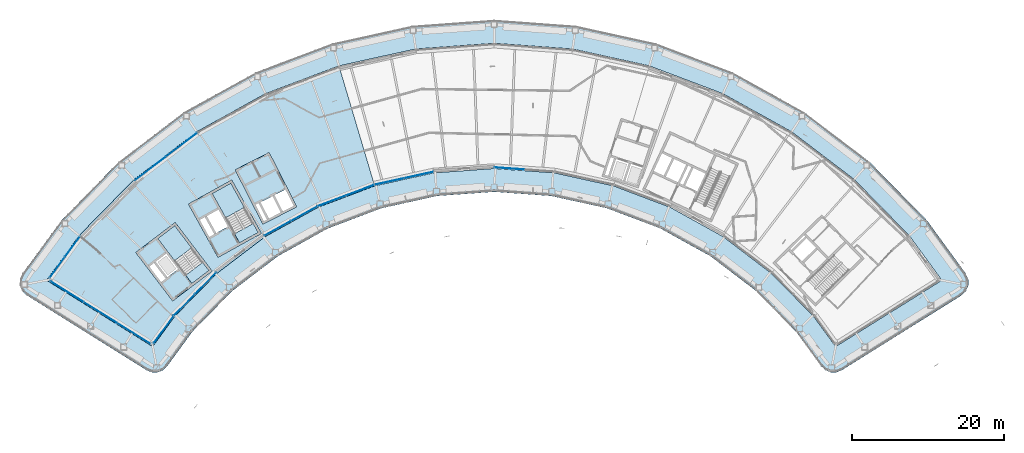
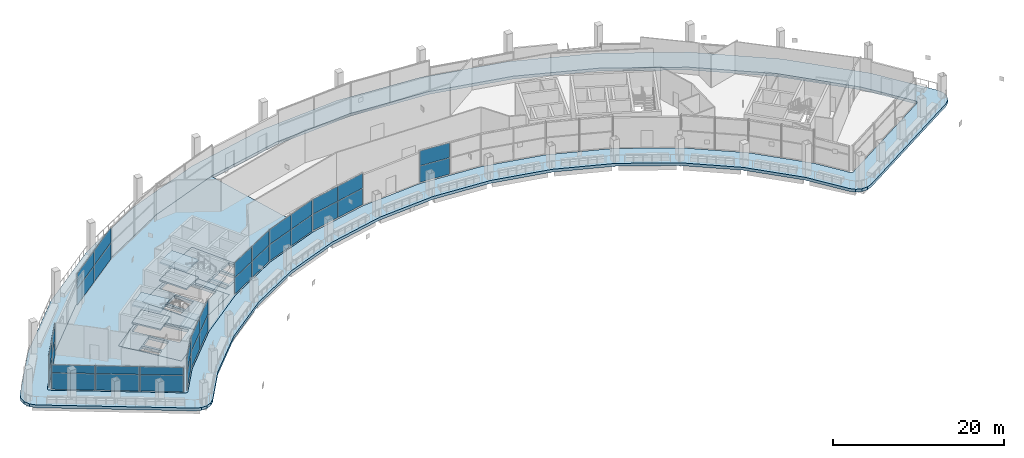
# One storey, part 13 of 29: 34 plates, 11 slabs, 11 elements without a shape of their own.
"""IFC4 building model written with IfcOpenShell, lengths in metres."""

from ifc_helpers import new_model, si_unit, direction, frame, origin, origin_2d, place, context, subcontext, project, spatial, polyline, rectangle, outline, extrude, material, layer, layer_set, type_object, element, aggregate, save


model = new_model("IFC4")

# Units and contexts
model_context = context("Model", 3, precision=1e-05, world=origin(), true_north=direction((0.0, 1.0)))
body_context = subcontext(model_context, "Body", "Model", "MODEL_VIEW")
ifc_project = project(units=[si_unit("LENGTHUNIT", "METRE"), si_unit("AREAUNIT", "SQUARE_METRE"), si_unit("VOLUMEUNIT", "CUBIC_METRE"), si_unit("PLANEANGLEUNIT", "RADIAN"), si_unit("MASSUNIT", "GRAM", prefix="KILO")], contexts=[model_context])

# Site, building, storey
site_placement = place(None, origin())
site = spatial("IfcSite", under=ifc_project, at=site_placement, CompositionType="ELEMENT")
building_placement = place(site_placement, origin())
building = spatial("IfcBuilding", under=site, at=building_placement, Name="Tuul Gate Civic Tower", CompositionType="ELEMENT")
storey_placement = place(building_placement, frame((0.0, 0.0, 238.89990234375)))
storey = spatial("IfcBuildingStorey", under=building, at=storey_placement, Name="Sky garden level 2", CompositionType="ELEMENT", Elevation=238.89990234375)

# Curtain wall, plates
ifc_material_1 = material(Name="Aluminium", Category="aluminium")
ifc_layer_1 = layer(ifc_material_1, 0.199951171875)
ifc_layer_set_1 = layer_set([ifc_layer_1], Name="Aluminium")
curtain_wall_type_1 = type_object("IfcCurtainWallType", Name="Curtain wall CW3", PredefinedType="NOTDEFINED", material=ifc_layer_set_1)
curtain_wall_1_placement = place(storey_placement, origin())
curtain_wall_1 = element("IfcCurtainWall", 1, at=curtain_wall_1_placement, inside=storey, type_object=curtain_wall_type_1, Name="Curtain wall CW3", PredefinedType="NOTDEFINED")
ifc_material_2 = material(Name="Insulated glass", Category="glass")
ifc_layer_2 = layer(ifc_material_2, 0.031982421875)
ifc_layer_set_2 = layer_set([ifc_layer_2], Name="Insulated glass")
plate_type_1 = type_object("IfcPlateType", Name="CW3 panel", PredefinedType="CURTAIN_PANEL", material=ifc_layer_set_2)
plate_1_placement = place(storey_placement, frame((-35.097900390625, 2.791015625, 0.06005859375), z_axis=(0.0, 0.0, 1.0), x_axis=(-0.795645602675, -0.60576239149, 0.0)))
plate_1 = element("IfcPlate", 2, at=plate_1_placement, type_object=plate_type_1, Name="Panel", PredefinedType="CURTAIN_PANEL", context=body_context, shape_type="SweptSolid", body=[
    extrude(rectangle(XDim=5.060546875, YDim=0.031982421875, at=origin_2d()), origin(), (0.0, 0.0, 1.0), 2.31005859375),
])
plate_2_placement = place(storey_placement, frame((-35.097900390625, 2.791015625, 2.43017578125), z_axis=(0.0, 0.0, 1.0), x_axis=(-0.795645602675, -0.60576239149, 0.0)))
plate_2 = element("IfcPlate", 3, at=plate_2_placement, type_object=plate_type_1, Name="Panel", PredefinedType="CURTAIN_PANEL", context=body_context, shape_type="SweptSolid", body=[
    extrude(rectangle(XDim=5.060546875, YDim=0.031982421875, at=origin_2d()), origin(), (0.0, 0.0, 1.0), 2.110107421875),
])
plate_3_placement = place(storey_placement, frame((-39.172119140625, -0.31103515625, 0.06005859375), z_axis=(0.0, 0.0, 1.0), x_axis=(-0.795645602675, -0.60576239149, 0.0)))
plate_3 = element("IfcPlate", 4, at=plate_3_placement, type_object=plate_type_1, Name="Panel", PredefinedType="CURTAIN_PANEL", context=body_context, shape_type="SweptSolid", body=[
    extrude(rectangle(XDim=5.060546875, YDim=0.031982421875, at=origin_2d()), origin(), (0.0, 0.0, 1.0), 2.31005859375),
])
plate_4_placement = place(storey_placement, frame((-39.172119140625, -0.31103515625, 2.43017578125), z_axis=(0.0, 0.0, 1.0), x_axis=(-0.795645602675, -0.60576239149, 0.0)))
plate_4 = element("IfcPlate", 5, at=plate_4_placement, type_object=plate_type_1, Name="Panel", PredefinedType="CURTAIN_PANEL", context=body_context, shape_type="SweptSolid", body=[
    extrude(rectangle(XDim=5.060546875, YDim=0.031982421875, at=origin_2d()), origin(), (0.0, 0.0, 1.0), 2.110107421875),
])
aggregate(curtain_wall_1, [plate_1, plate_2, plate_3, plate_4])

curtain_wall_2_placement = place(storey_placement, origin())
curtain_wall_2 = element("IfcCurtainWall", 6, at=curtain_wall_2_placement, inside=storey, type_object=curtain_wall_type_1, Name="Curtain wall CW3", PredefinedType="NOTDEFINED")
plate_5_placement = place(storey_placement, frame((-49.450927734375, -10.61474609375, 0.06005859375), z_axis=(0.0, 0.0, 1.0), x_axis=(-0.589716540915, -0.807610302913, 0.0)))
plate_5 = element("IfcPlate", 7, at=plate_5_placement, type_object=plate_type_1, Name="Panel", PredefinedType="CURTAIN_PANEL", context=body_context, shape_type="SweptSolid", body=[
    extrude(rectangle(XDim=3.294677734375, YDim=0.031982421875, at=origin_2d()), origin(), (0.0, 0.0, 1.0), 2.31005859375),
])
plate_6_placement = place(storey_placement, frame((-49.450927734375, -10.61474609375, 2.43017578125), z_axis=(0.0, 0.0, 1.0), x_axis=(-0.589716540915, -0.807610302913, 0.0)))
plate_6 = element("IfcPlate", 8, at=plate_6_placement, type_object=plate_type_1, Name="Panel", PredefinedType="CURTAIN_PANEL", context=body_context, shape_type="SweptSolid", body=[
    extrude(rectangle(XDim=3.294677734375, YDim=0.031982421875, at=origin_2d()), origin(), (0.0, 0.0, 1.0), 2.110107421875),
])
plate_7_placement = place(storey_placement, frame((-51.42919921875, -13.32421875, 0.06005859375), z_axis=(0.0, 0.0, 1.0), x_axis=(-0.589716540915, -0.807610302913, 0.0)))
plate_7 = element("IfcPlate", 9, at=plate_7_placement, type_object=plate_type_1, Name="Panel", PredefinedType="CURTAIN_PANEL", context=body_context, shape_type="SweptSolid", body=[
    extrude(rectangle(XDim=3.294677734375, YDim=0.031982421875, at=origin_2d()), origin(), (0.0, 0.0, 1.0), 2.31005859375),
])
plate_8_placement = place(storey_placement, frame((-51.42919921875, -13.32421875, 2.43017578125), z_axis=(0.0, 0.0, 1.0), x_axis=(-0.589716540915, -0.807610302913, 0.0)))
plate_8 = element("IfcPlate", 10, at=plate_8_placement, type_object=plate_type_1, Name="Panel", PredefinedType="CURTAIN_PANEL", context=body_context, shape_type="SweptSolid", body=[
    extrude(rectangle(XDim=3.294677734375, YDim=0.031982421875, at=origin_2d()), origin(), (0.0, 0.0, 1.0), 2.110107421875),
])
aggregate(curtain_wall_2, [plate_5, plate_6, plate_7, plate_8])

curtain_wall_3_placement = place(storey_placement, origin())
curtain_wall_3 = element("IfcCurtainWall", 11, at=curtain_wall_3_placement, inside=storey, type_object=curtain_wall_type_1, Name="Curtain wall CW3", PredefinedType="NOTDEFINED")
plate_9_placement = place(storey_placement, frame((-37.451416015625, -21.482421875, 0.06005859375), z_axis=(0.0, 0.0, 1.0), x_axis=(0.589775986774, 0.807566892229, 0.0)))
plate_9 = element("IfcPlate", 12, at=plate_9_placement, type_object=plate_type_1, Name="Panel", PredefinedType="CURTAIN_PANEL", context=body_context, shape_type="SweptSolid", body=[
    extrude(rectangle(XDim=4.361328125, YDim=0.031982421875, at=origin_2d()), origin(), (0.0, 0.0, 1.0), 2.31005859375),
])
plate_10_placement = place(storey_placement, frame((-37.451416015625, -21.482421875, 2.43017578125), z_axis=(0.0, 0.0, 1.0), x_axis=(0.589775986774, 0.807566892229, 0.0)))
plate_10 = element("IfcPlate", 13, at=plate_10_placement, type_object=plate_type_1, Name="Panel", PredefinedType="CURTAIN_PANEL", context=body_context, shape_type="SweptSolid", body=[
    extrude(rectangle(XDim=4.361328125, YDim=0.031982421875, at=origin_2d()), origin(), (0.0, 0.0, 1.0), 2.110107421875),
])
aggregate(curtain_wall_3, [plate_9, plate_10])

curtain_wall_4_placement = place(storey_placement, origin())
curtain_wall_4 = element("IfcCurtainWall", 14, at=curtain_wall_4_placement, inside=storey, type_object=curtain_wall_type_1, Name="Curtain wall CW3", PredefinedType="NOTDEFINED")
plate_11_placement = place(storey_placement, frame((-34.72509765625, -18.23974609375, 0.06005859375), z_axis=(0.0, 0.0, 1.0), x_axis=(0.700043805627, 0.714099902117, 0.0)))
plate_11 = element("IfcPlate", 15, at=plate_11_placement, type_object=plate_type_1, Name="Panel", PredefinedType="CURTAIN_PANEL", context=body_context, shape_type="SweptSolid", body=[
    extrude(rectangle(XDim=3.89404296875, YDim=0.031982421875, at=origin_2d()), origin(), (0.0, 0.0, 1.0), 2.31005859375),
])
plate_12_placement = place(storey_placement, frame((-34.72509765625, -18.23974609375, 2.43017578125), z_axis=(0.0, 0.0, 1.0), x_axis=(0.700043805627, 0.714099902117, 0.0)))
plate_12 = element("IfcPlate", 16, at=plate_12_placement, type_object=plate_type_1, Name="Panel", PredefinedType="CURTAIN_PANEL", context=body_context, shape_type="SweptSolid", body=[
    extrude(rectangle(XDim=3.89404296875, YDim=0.031982421875, at=origin_2d()), origin(), (0.0, 0.0, 1.0), 2.110107421875),
])
plate_13_placement = place(storey_placement, frame((-31.95703125, -15.416259765625, 0.06005859375), z_axis=(0.0, 0.0, 1.0), x_axis=(0.700043805627, 0.714099902117, 0.0)))
plate_13 = element("IfcPlate", 17, at=plate_13_placement, type_object=plate_type_1, Name="Panel", PredefinedType="CURTAIN_PANEL", context=body_context, shape_type="SweptSolid", body=[
    extrude(rectangle(XDim=3.89404296875, YDim=0.031982421875, at=origin_2d()), origin(), (0.0, 0.0, 1.0), 2.31005859375),
])
plate_14_placement = place(storey_placement, frame((-31.95703125, -15.416259765625, 2.43017578125), z_axis=(0.0, 0.0, 1.0), x_axis=(0.700043805627, 0.714099902117, 0.0)))
plate_14 = element("IfcPlate", 18, at=plate_14_placement, type_object=plate_type_1, Name="Panel", PredefinedType="CURTAIN_PANEL", context=body_context, shape_type="SweptSolid", body=[
    extrude(rectangle(XDim=3.89404296875, YDim=0.031982421875, at=origin_2d()), origin(), (0.0, 0.0, 1.0), 2.110107421875),
])
aggregate(curtain_wall_4, [plate_11, plate_12, plate_13, plate_14])

curtain_wall_5_placement = place(storey_placement, origin())
curtain_wall_5 = element("IfcCurtainWall", 19, at=curtain_wall_5_placement, inside=storey, type_object=curtain_wall_type_1, Name="Curtain wall CW3", PredefinedType="NOTDEFINED")
plate_15_placement = place(storey_placement, frame((-22.45654296875, -8.182861328125, 0.06005859375), z_axis=(0.0, 0.0, 1.0), x_axis=(0.874618631094, 0.484811561479, 0.0)))
plate_15 = element("IfcPlate", 20, at=plate_15_placement, type_object=plate_type_1, Name="Panel", PredefinedType="CURTAIN_PANEL", context=body_context, shape_type="SweptSolid", body=[
    extrude(rectangle(XDim=3.89404296875, YDim=0.031982421875, at=origin_2d()), origin(), (0.0, 0.0, 1.0), 2.31005859375),
])
plate_16_placement = place(storey_placement, frame((-22.45654296875, -8.182861328125, 2.43017578125), z_axis=(0.0, 0.0, 1.0), x_axis=(0.874618631094, 0.484811561479, 0.0)))
plate_16 = element("IfcPlate", 21, at=plate_16_placement, type_object=plate_type_1, Name="Panel", PredefinedType="CURTAIN_PANEL", context=body_context, shape_type="SweptSolid", body=[
    extrude(rectangle(XDim=3.89404296875, YDim=0.031982421875, at=origin_2d()), origin(), (0.0, 0.0, 1.0), 2.110107421875),
])
plate_17_placement = place(storey_placement, frame((-18.998291015625, -6.26611328125, 0.06005859375), z_axis=(0.0, 0.0, 1.0), x_axis=(0.874618631094, 0.484811561479, 0.0)))
plate_17 = element("IfcPlate", 22, at=plate_17_placement, type_object=plate_type_1, Name="Panel", PredefinedType="CURTAIN_PANEL", context=body_context, shape_type="SweptSolid", body=[
    extrude(rectangle(XDim=3.89404296875, YDim=0.031982421875, at=origin_2d()), origin(), (0.0, 0.0, 1.0), 2.31005859375),
])
plate_18_placement = place(storey_placement, frame((-18.998291015625, -6.26611328125, 2.43017578125), z_axis=(0.0, 0.0, 1.0), x_axis=(0.874618631094, 0.484811561479, 0.0)))
plate_18 = element("IfcPlate", 23, at=plate_18_placement, type_object=plate_type_1, Name="Panel", PredefinedType="CURTAIN_PANEL", context=body_context, shape_type="SweptSolid", body=[
    extrude(rectangle(XDim=3.89404296875, YDim=0.031982421875, at=origin_2d()), origin(), (0.0, 0.0, 1.0), 2.110107421875),
])
aggregate(curtain_wall_5, [plate_15, plate_16, plate_17, plate_18])

curtain_wall_6_placement = place(storey_placement, origin())
curtain_wall_6 = element("IfcCurtainWall", 24, at=curtain_wall_6_placement, inside=storey, type_object=curtain_wall_type_1, Name="Curtain wall CW3", PredefinedType="NOTDEFINED")
plate_19_placement = place(storey_placement, frame((-15.365478515625, -4.5830078125, 0.06005859375), z_axis=(0.0, 0.0, 1.0), x_axis=(0.935345738127, 0.353734858569, 0.0)))
plate_19 = element("IfcPlate", 25, at=plate_19_placement, type_object=plate_type_1, Name="Panel", PredefinedType="CURTAIN_PANEL", context=body_context, shape_type="SweptSolid", body=[
    extrude(rectangle(XDim=3.89453125, YDim=0.031982421875, at=origin_2d()), origin(), (0.0, 0.0, 1.0), 2.31005859375),
])
plate_20_placement = place(storey_placement, frame((-15.365478515625, -4.5830078125, 2.43017578125), z_axis=(0.0, 0.0, 1.0), x_axis=(0.935345738127, 0.353734858569, 0.0)))
plate_20 = element("IfcPlate", 26, at=plate_20_placement, type_object=plate_type_1, Name="Panel", PredefinedType="CURTAIN_PANEL", context=body_context, shape_type="SweptSolid", body=[
    extrude(rectangle(XDim=3.89453125, YDim=0.031982421875, at=origin_2d()), origin(), (0.0, 0.0, 1.0), 2.110107421875),
])
plate_21_placement = place(storey_placement, frame((-11.66650390625, -3.18408203125, 0.06005859375), z_axis=(0.0, 0.0, 1.0), x_axis=(0.935345738127, 0.353734858569, 0.0)))
plate_21 = element("IfcPlate", 27, at=plate_21_placement, type_object=plate_type_1, Name="Panel", PredefinedType="CURTAIN_PANEL", context=body_context, shape_type="SweptSolid", body=[
    extrude(rectangle(XDim=3.89453125, YDim=0.031982421875, at=origin_2d()), origin(), (0.0, 0.0, 1.0), 2.31005859375),
])
plate_22_placement = place(storey_placement, frame((-11.66650390625, -3.18408203125, 2.43017578125), z_axis=(0.0, 0.0, 1.0), x_axis=(0.935345738127, 0.353734858569, 0.0)))
plate_22 = element("IfcPlate", 28, at=plate_22_placement, type_object=plate_type_1, Name="Panel", PredefinedType="CURTAIN_PANEL", context=body_context, shape_type="SweptSolid", body=[
    extrude(rectangle(XDim=3.89453125, YDim=0.031982421875, at=origin_2d()), origin(), (0.0, 0.0, 1.0), 2.110107421875),
])
aggregate(curtain_wall_6, [plate_19, plate_20, plate_21, plate_22])

curtain_wall_7_placement = place(storey_placement, origin())
curtain_wall_7 = element("IfcCurtainWall", 29, at=curtain_wall_7_placement, inside=storey, type_object=curtain_wall_type_1, Name="Curtain wall CW3", PredefinedType="NOTDEFINED")
plate_23_placement = place(storey_placement, frame((-7.8291015625, -2.0419921875, 0.06005859375), z_axis=(0.0, 0.0, 1.0), x_axis=(0.976560642171, 0.215242449721, 0.0)))
plate_23 = element("IfcPlate", 30, at=plate_23_placement, type_object=plate_type_1, Name="Panel", PredefinedType="CURTAIN_PANEL", context=body_context, shape_type="SweptSolid", body=[
    extrude(rectangle(XDim=3.893798828125, YDim=0.031982421875, at=origin_2d()), origin(), (0.0, 0.0, 1.0), 2.31005859375),
])
plate_24_placement = place(storey_placement, frame((-7.8291015625, -2.0419921875, 2.43017578125), z_axis=(0.0, 0.0, 1.0), x_axis=(0.976560642171, 0.215242449721, 0.0)))
plate_24 = element("IfcPlate", 31, at=plate_24_placement, type_object=plate_type_1, Name="Panel", PredefinedType="CURTAIN_PANEL", context=body_context, shape_type="SweptSolid", body=[
    extrude(rectangle(XDim=3.893798828125, YDim=0.031982421875, at=origin_2d()), origin(), (0.0, 0.0, 1.0), 2.110107421875),
])
plate_25_placement = place(storey_placement, frame((-3.968017578125, -1.19091796875, 0.06005859375), z_axis=(0.0, 0.0, 1.0), x_axis=(0.976560642171, 0.215242449721, 0.0)))
plate_25 = element("IfcPlate", 32, at=plate_25_placement, type_object=plate_type_1, Name="Panel", PredefinedType="CURTAIN_PANEL", context=body_context, shape_type="SweptSolid", body=[
    extrude(rectangle(XDim=3.893798828125, YDim=0.031982421875, at=origin_2d()), origin(), (0.0, 0.0, 1.0), 2.31005859375),
])
plate_26_placement = place(storey_placement, frame((-3.968017578125, -1.19091796875, 2.43017578125), z_axis=(0.0, 0.0, 1.0), x_axis=(0.976560642171, 0.215242449721, 0.0)))
plate_26 = element("IfcPlate", 33, at=plate_26_placement, type_object=plate_type_1, Name="Panel", PredefinedType="CURTAIN_PANEL", context=body_context, shape_type="SweptSolid", body=[
    extrude(rectangle(XDim=3.893798828125, YDim=0.031982421875, at=origin_2d()), origin(), (0.0, 0.0, 1.0), 2.110107421875),
])
aggregate(curtain_wall_7, [plate_23, plate_24, plate_25, plate_26])

curtain_wall_8_placement = place(storey_placement, origin())
curtain_wall_8 = element("IfcCurtainWall", 34, at=curtain_wall_8_placement, inside=storey, type_object=curtain_wall_type_1, Name="Curtain wall CW3", PredefinedType="NOTDEFINED")
plate_27_placement = place(storey_placement, frame((7.941650390625, -0.328857421875, 0.06005859375), z_axis=(0.0, 0.0, 1.0), x_axis=(0.997392657117, -0.072165694963, 0.0)))
plate_27 = element("IfcPlate", 35, at=plate_27_placement, type_object=plate_type_1, Name="Panel", PredefinedType="CURTAIN_PANEL", context=body_context, shape_type="SweptSolid", body=[
    extrude(rectangle(XDim=3.893798828125, YDim=0.031982421875, at=origin_2d()), origin(), (0.0, 0.0, 1.0), 2.31005859375),
])
plate_28_placement = place(storey_placement, frame((7.941650390625, -0.328857421875, 2.43017578125), z_axis=(0.0, 0.0, 1.0), x_axis=(0.997392657117, -0.072165694963, 0.0)))
plate_28 = element("IfcPlate", 36, at=plate_28_placement, type_object=plate_type_1, Name="Panel", PredefinedType="CURTAIN_PANEL", context=body_context, shape_type="SweptSolid", body=[
    extrude(rectangle(XDim=3.893798828125, YDim=0.031982421875, at=origin_2d()), origin(), (0.0, 0.0, 1.0), 2.110107421875),
])
aggregate(curtain_wall_8, [plate_27, plate_28])

ifc_material_3 = material(Name="Aluminium", Category="aluminium")
ifc_layer_3 = layer(ifc_material_3, 0.199951171875)
ifc_layer_set_3 = layer_set([ifc_layer_3], Name="Aluminium")
curtain_wall_type_2 = type_object("IfcCurtainWallType", Name="Curtain wall CW3B", PredefinedType="NOTDEFINED", material=ifc_layer_set_3)
curtain_wall_9_placement = place(storey_placement, origin())
curtain_wall_9 = element("IfcCurtainWall", 37, at=curtain_wall_9_placement, inside=storey, type_object=curtain_wall_type_2, Name="Curtain wall CW3B", PredefinedType="NOTDEFINED")
ifc_material_4 = material(Name="Insulated glass", Category="glass")
ifc_layer_4 = layer(ifc_material_4, 0.031982421875)
ifc_layer_set_4 = layer_set([ifc_layer_4], Name="Insulated glass")
plate_type_2 = type_object("IfcPlateType", Name="CW3B panel", PredefinedType="CURTAIN_PANEL", material=ifc_layer_set_4)
plate_29_placement = place(storey_placement, frame((-50.143798828125, -16.5146484375, 0.06005859375), z_axis=(0.0, 0.0, 1.0), x_axis=(0.848023607876, -0.52995845166, 0.0)))
plate_29 = element("IfcPlate", 38, at=plate_29_placement, type_object=plate_type_2, Name="Panel", PredefinedType="CURTAIN_PANEL", context=body_context, shape_type="SweptSolid", body=[
    extrude(rectangle(XDim=5.09033203125, YDim=0.031982421875, at=origin_2d()), origin(), (0.0, 0.0, 1.0), 2.31005859375),
])
plate_30_placement = place(storey_placement, frame((-50.143798828125, -16.5146484375, 2.43017578125), z_axis=(0.0, 0.0, 1.0), x_axis=(0.848023607876, -0.52995845166, 0.0)))
plate_30 = element("IfcPlate", 39, at=plate_30_placement, type_object=plate_type_2, Name="Panel", PredefinedType="CURTAIN_PANEL", context=body_context, shape_type="SweptSolid", body=[
    extrude(rectangle(XDim=5.09033203125, YDim=0.031982421875, at=origin_2d()), origin(), (0.0, 0.0, 1.0), 1.10498046875),
])
plate_31_placement = place(storey_placement, frame((-45.763427734375, -19.251953125, 0.06005859375), z_axis=(0.0, 0.0, 1.0), x_axis=(0.848023607876, -0.52995845166, 0.0)))
plate_31 = element("IfcPlate", 40, at=plate_31_placement, type_object=plate_type_2, Name="Panel", PredefinedType="CURTAIN_PANEL", context=body_context, shape_type="SweptSolid", body=[
    extrude(rectangle(XDim=5.120361328125, YDim=0.031982421875, at=origin_2d()), origin(), (0.0, 0.0, 1.0), 2.31005859375),
])
plate_32_placement = place(storey_placement, frame((-45.763427734375, -19.251953125, 2.43017578125), z_axis=(0.0, 0.0, 1.0), x_axis=(0.848023607876, -0.52995845166, 0.0)))
plate_32 = element("IfcPlate", 41, at=plate_32_placement, type_object=plate_type_2, Name="Panel", PredefinedType="CURTAIN_PANEL", context=body_context, shape_type="SweptSolid", body=[
    extrude(rectangle(XDim=5.120361328125, YDim=0.031982421875, at=origin_2d()), origin(), (0.0, 0.0, 1.0), 1.10498046875),
])
plate_33_placement = place(storey_placement, frame((-41.38330078125, -21.989501953125, 0.06005859375), z_axis=(0.0, 0.0, 1.0), x_axis=(0.848023607876, -0.52995845166, 0.0)))
plate_33 = element("IfcPlate", 42, at=plate_33_placement, type_object=plate_type_2, Name="Panel", PredefinedType="CURTAIN_PANEL", context=body_context, shape_type="SweptSolid", body=[
    extrude(rectangle(XDim=5.09033203125, YDim=0.031982421875, at=origin_2d()), origin(), (0.0, 0.0, 1.0), 2.31005859375),
])
plate_34_placement = place(storey_placement, frame((-41.38330078125, -21.989501953125, 2.43017578125), z_axis=(0.0, 0.0, 1.0), x_axis=(0.848023607876, -0.52995845166, 0.0)))
plate_34 = element("IfcPlate", 43, at=plate_34_placement, type_object=plate_type_2, Name="Panel", PredefinedType="CURTAIN_PANEL", context=body_context, shape_type="SweptSolid", body=[
    extrude(rectangle(XDim=5.09033203125, YDim=0.031982421875, at=origin_2d()), origin(), (0.0, 0.0, 1.0), 1.10498046875),
])
aggregate(curtain_wall_9, [plate_29, plate_30, plate_31, plate_32, plate_33, plate_34])

# Slabs
ifc_material_5 = material(Name="Concrete C40/50", Category="concrete")
ifc_layer_5 = layer(ifc_material_5, 0.39990234375)
ifc_layer_set_5 = layer_set([ifc_layer_5], Name="Concrete C40/50")
slab_type_1 = type_object("IfcSlabType", Name="Core floor slab 400", PredefinedType="FLOOR", material=ifc_layer_set_5)
slab_1_placement = place(storey_placement, frame((0.0, 0.0, -0.400146484375)))
element("IfcSlab", 44, at=slab_1_placement, inside=storey, type_object=slab_type_1, Name="FLOOR SLAB", PredefinedType="FLOOR", context=body_context, shape_type="SweptSolid", body=[
    extrude(outline(polyline([(-31.10009765625, -13.7890625), (-35.946044921875, -7.423828125), (-41.11767578125, -11.361572265625), (-36.271484375, -17.726806640625), (-31.10009765625, -13.7890625)]), holes=[polyline([(-35.561767578125, -13.541259765625), (-37.1064453125, -11.512451171875), (-38.498779296875, -12.572509765625), (-36.9541015625, -14.6015625), (-35.561767578125, -13.541259765625)]), polyline([(-37.19287109375, -14.783203125), (-38.737548828125, -12.75439453125), (-39.45361328125, -13.299560546875), (-37.908935546875, -15.328369140625), (-37.19287109375, -14.783203125)]), polyline([(-32.33935546875, -12.65771484375), (-34.56591796875, -14.352783203125), (-38.229736328125, -9.54052734375), (-36.003173828125, -7.845458984375), (-32.33935546875, -12.65771484375)])]), origin(), (0.0, 0.0, 1.0), 0.400146484375),
])
slab_2_placement = place(storey_placement, frame((0.0, 0.0, -0.400146484375)))
element("IfcSlab", 45, at=slab_2_placement, inside=storey, type_object=slab_type_1, Name="FLOOR SLAB", PredefinedType="FLOOR", context=body_context, shape_type="SweptSolid", body=[
    extrude(outline(polyline([(-24.638916015625, -8.846923828125), (-28.51708984375, -1.849853515625), (-34.2021484375, -5.0009765625), (-30.32421875, -11.998046875), (-24.638916015625, -8.846923828125)]), holes=[polyline([(-29.0185546875, -7.958740234375), (-30.254638671875, -5.728515625), (-31.785400390625, -6.576904296875), (-30.54931640625, -8.80712890625), (-29.0185546875, -7.958740234375)]), polyline([(-30.8115234375, -8.95263671875), (-32.047607421875, -6.72216796875), (-32.8349609375, -7.158447265625), (-31.5986328125, -9.388916015625), (-30.8115234375, -8.95263671875)]), polyline([(-25.702392578125, -7.548828125), (-28.14990234375, -8.905517578125), (-31.08203125, -3.615234375), (-28.63427734375, -2.2587890625), (-25.702392578125, -7.548828125)])]), origin(), (0.0, 0.0, 1.0), 0.400146484375),
])
ifc_material_6 = material(Name="Concrete C40/50", Category="concrete")
ifc_layer_6 = layer(ifc_material_6, 0.39990234375)
ifc_layer_set_6 = layer_set([ifc_layer_6], Name="Concrete C40/50")
slab_type_2 = type_object("IfcSlabType", Name="Core floor slab 400 non-bearing", PredefinedType="FLOOR", material=ifc_layer_set_6)
slab_3_placement = place(storey_placement, frame((0.0, 0.0, -0.400146484375)))
element("IfcSlab", 46, at=slab_3_placement, inside=storey, type_object=slab_type_2, Name="FLOOR SLAB", PredefinedType="FLOOR", context=body_context, shape_type="SweptSolid", body=[
    extrude(outline(polyline([(-19.98095703125, -5.365966796875), (-23.613037109375, 1.761962890625), (-28.068115234375, -0.508056640625), (-24.43603515625, -7.635986328125), (-19.98095703125, -5.365966796875)]), holes=[polyline([(-20.384521484375, -5.23486328125), (-21.47412109375, -3.096435546875), (-22.899658203125, -3.822998046875), (-21.81005859375, -5.961181640625), (-20.384521484375, -5.23486328125)]), polyline([(-22.077392578125, -6.097412109375), (-23.1669921875, -3.958984375), (-24.726318359375, -4.753662109375), (-23.63671875, -6.89208984375), (-22.077392578125, -6.097412109375)]), polyline([(-23.8359375, -7.161865234375), (-24.99365234375, -4.889892578125), (-25.5283203125, -5.162109375), (-24.37060546875, -7.434326171875), (-23.8359375, -7.161865234375)])]), origin(), (0.0, 0.0, 1.0), 0.400146484375),
])

# Stair, slabs
ifc_material_7 = material(Name="Concrete C40/50", Category="concrete")
stair_type = type_object("IfcStairType", Name="Exit stair", PredefinedType="HALF_TURN_STAIR", material=ifc_material_7)
stair_1_placement = place(storey_placement, origin())
stair_1 = element("IfcStair", 47, at=stair_1_placement, inside=storey, type_object=stair_type, Name="Sky garden level 2 ST-1", PredefinedType="HALF_TURN_STAIR")
ifc_material_8 = material(Name="Concrete C40/50", Category="concrete")
ifc_layer_7 = layer(ifc_material_8, 0.199951171875)
ifc_layer_set_7 = layer_set([ifc_layer_7], Name="Concrete C40/50")
slab_type_3 = type_object("IfcSlabType", Name="Exit stair landing", PredefinedType="LANDING", material=ifc_layer_set_7)
slab_4_placement = place(storey_placement, frame((0.0, 0.0, 1.050048828125)))
slab_4 = element("IfcSlab", 48, at=slab_4_placement, type_object=slab_type_3, Name="ST-1 landing 1", PredefinedType="LANDING", context=body_context, shape_type="SweptSolid", body=[
    extrude(outline(polyline([(-33.791015625, -10.74853515625), (-36.02001953125, -12.445556640625), (-38.23193359375, -9.540283203125), (-36.0029296875, -7.843017578125), (-33.791015625, -10.74853515625)])), origin(), (0.0, 0.0, 1.0), 0.199951171875),
])
slab_5_placement = place(storey_placement, frame((0.0, 0.0, 2.300048828125)))
slab_5 = element("IfcSlab", 49, at=slab_5_placement, type_object=slab_type_3, Name="ST-1 landing 2", PredefinedType="LANDING", context=body_context, shape_type="SweptSolid", body=[
    extrude(outline(polyline([(-31.519287109375, -13.732177734375), (-33.748291015625, -15.42919921875), (-34.567138671875, -14.353759765625), (-32.338134765625, -12.65673828125), (-31.519287109375, -13.732177734375)])), origin(), (0.0, 0.0, 1.0), 0.199951171875),
])
slab_6_placement = place(storey_placement, frame((0.0, 0.0, 3.550048828125)))
slab_6 = element("IfcSlab", 50, at=slab_6_placement, type_object=slab_type_3, Name="ST-1 landing 3", PredefinedType="LANDING", context=body_context, shape_type="SweptSolid", body=[
    extrude(outline(polyline([(-33.791015625, -10.74853515625), (-36.02001953125, -12.445556640625), (-38.23193359375, -9.540283203125), (-36.0029296875, -7.843017578125), (-33.791015625, -10.74853515625)])), origin(), (0.0, 0.0, 1.0), 0.199951171875),
])
aggregate(stair_1, [slab_4, slab_5, slab_6])

stair_2_placement = place(storey_placement, origin())
stair_2 = element("IfcStair", 51, at=stair_2_placement, inside=storey, type_object=stair_type, Name="Sky garden level 2 ST-2", PredefinedType="HALF_TURN_STAIR")
slab_7_placement = place(storey_placement, frame((0.0, 0.0, 1.050048828125)))
slab_7 = element("IfcSlab", 52, at=slab_7_placement, type_object=slab_type_3, Name="ST-2 landing 1", PredefinedType="LANDING", context=body_context, shape_type="SweptSolid", body=[
    extrude(outline(polyline([(-26.863525390625, -5.450439453125), (-29.31396484375, -6.80859375), (-31.084228515625, -3.61474609375), (-28.6337890625, -2.256591796875), (-26.863525390625, -5.450439453125)])), origin(), (0.0, 0.0, 1.0), 0.199951171875),
])
slab_8_placement = place(storey_placement, frame((0.0, 0.0, 2.300048828125)))
slab_8 = element("IfcSlab", 53, at=slab_8_placement, type_object=slab_type_3, Name="ST-2 landing 2", PredefinedType="LANDING", context=body_context, shape_type="SweptSolid", body=[
    extrude(outline(polyline([(-25.045654296875, -8.730224609375), (-27.49609375, -10.08837890625), (-28.1513671875, -8.90625), (-25.700927734375, -7.548095703125), (-25.045654296875, -8.730224609375)])), origin(), (0.0, 0.0, 1.0), 0.199951171875),
])
slab_9_placement = place(storey_placement, frame((0.0, 0.0, 3.550048828125)))
slab_9 = element("IfcSlab", 54, at=slab_9_placement, type_object=slab_type_3, Name="ST-2 landing 3", PredefinedType="LANDING", context=body_context, shape_type="SweptSolid", body=[
    extrude(outline(polyline([(-26.863525390625, -5.450439453125), (-29.31396484375, -6.80859375), (-31.084228515625, -3.61474609375), (-28.6337890625, -2.256591796875), (-26.863525390625, -5.450439453125)])), origin(), (0.0, 0.0, 1.0), 0.199951171875),
])
aggregate(stair_2, [slab_7, slab_8, slab_9])

# Slabs
ifc_material_9 = material(Name="Concrete C35/45", Category="concrete")
ifc_layer_8 = layer(ifc_material_9, 0.39990234375)
ifc_layer_set_8 = layer_set([ifc_layer_8], Name="Concrete C35/45")
slab_type_4 = type_object("IfcSlabType", Name="STR-FLOOR-SLAB-400", PredefinedType="FLOOR", material=ifc_layer_set_8)
slab_10_placement = place(storey_placement, frame((0.0, 0.0, -0.400146484375)))
element("IfcSlab", 55, at=slab_10_placement, inside=storey, type_object=slab_type_4, Name="Sky garden level 2/slab/W", PredefinedType="FLOOR", context=body_context, shape_type="SweptSolid", body=[
    extrude(outline(polyline([(-9.7470703125, -2.617919921875), (-14.43603515625, 13.14208984375), (-24.091064453125, 9.489990234375), (-33.1201171875, 4.486083984375), (-41.33203125, -1.76708984375), (-48.55810546875, -9.138916015625), (-52.653076171875, -14.7451171875), (-52.702880859375, -14.85595703125), (-52.705078125, -14.97802734375), (-52.657958984375, -15.091064453125), (-52.569091796875, -15.176025390625), (-39.135009765625, -23.571044921875), (-39.031005859375, -23.611083984375), (-38.9189453125, -23.611083984375), (-38.81494140625, -23.570068359375), (-38.73388671875, -23.492919921875), (-36.014892578125, -19.77099609375), (-30.451904296875, -14.095947265625), (-24.1298828125, -9.281982421875), (-17.179931640625, -5.428955078125), (-9.7470703125, -2.617919921875)]), holes=[polyline([(-31.10009765625, -13.7890625), (-36.27197265625, -17.72705078125), (-41.117919921875, -11.362060546875), (-35.946044921875, -7.424072265625), (-31.10009765625, -13.7890625)]), polyline([(-30.323974609375, -11.998046875), (-34.201904296875, -5.0009765625), (-28.51708984375, -1.85009765625), (-24.638916015625, -8.846923828125), (-30.323974609375, -11.998046875)]), polyline([(-19.98095703125, -5.365966796875), (-24.43603515625, -7.635986328125), (-28.068115234375, -0.508056640625), (-23.613037109375, 1.761962890625), (-19.98095703125, -5.365966796875)])]), origin(), (0.0, 0.0, 1.0), 0.400146484375),
])
ifc_material_10 = material(Name="Concrete C40/50", Category="concrete")
ifc_layer_9 = layer(ifc_material_10, 0.39990234375)
ifc_layer_set_9 = layer_set([ifc_layer_9], Name="Concrete C40/50")
slab_type_5 = type_object("IfcSlabType", Name="STR-TERRACE-SLAB-400", PredefinedType="ROOF", material=ifc_layer_set_9)
slab_11_placement = place(storey_placement, frame((0.0, 0.0, -0.400146484375)))
element("IfcSlab", 56, at=slab_11_placement, inside=storey, type_object=slab_type_5, Name="terrace 1", PredefinedType="ROOF", context=body_context, shape_type="SweptSolid", body=[
    extrude(outline(polyline([(51.56591796875, -26.822998046875), (50.8720703125, -27.093017578125), (50.126953125, -27.090087890625), (49.43505859375, -26.81494140625), (48.89111328125, -26.305908203125), (45.56201171875, -21.748046875), (40.30810546875, -16.388916015625), (34.3369140625, -11.842041015625), (27.77294921875, -8.2041015625), (20.75390625, -5.549072265625), (13.425048828125, -3.93408203125), (5.93994140625, -3.39208984375), (-1.544921875, -3.93408203125), (-8.8740234375, -5.549072265625), (-15.89404296875, -8.2041015625), (-22.4580078125, -11.842041015625), (-28.428955078125, -16.388916015625), (-33.681884765625, -21.748046875), (-37.011962890625, -26.305908203125), (-37.554931640625, -26.81494140625), (-38.2470703125, -27.090087890625), (-38.991943359375, -27.093017578125), (-39.68603515625, -26.822998046875), (-55.416015625, -16.992919921875), (-56.006103515625, -16.428955078125), (-56.320068359375, -15.677001953125), (-56.30810546875, -14.861083984375), (-55.971923828125, -14.117919921875), (-50.89111328125, -7.160888671875), (-43.35595703125, 0.52587890625), (-34.7919921875, 7.0458984375), (-25.376953125, 12.264892578125), (-15.30810546875, 16.072998046875), (-4.7958984375, 18.388916015625), (5.93994140625, 19.1669921875), (16.676025390625, 18.388916015625), (27.18798828125, 16.072998046875), (37.256103515625, 12.264892578125), (46.6708984375, 7.0458984375), (55.235107421875, 0.52587890625), (62.77099609375, -7.160888671875), (67.85107421875, -14.117919921875), (68.18798828125, -14.861083984375), (68.199951171875, -15.677001953125), (67.885009765625, -16.428955078125), (67.2958984375, -16.992919921875), (51.56591796875, -26.822998046875)]), holes=[polyline([(64.537109375, -15.091064453125), (64.583984375, -14.97802734375), (64.5830078125, -14.85595703125), (64.531982421875, -14.7451171875), (60.43798828125, -9.138916015625), (53.2119140625, -1.76708984375), (44.9990234375, 4.486083984375), (35.970947265625, 9.489990234375), (26.31591796875, 13.14208984375), (16.235107421875, 15.363037109375), (5.93994140625, 16.10888671875), (-4.35595703125, 15.363037109375), (-14.43603515625, 13.14208984375), (-24.091064453125, 9.489990234375), (-33.1201171875, 4.486083984375), (-41.33203125, -1.76708984375), (-48.55810546875, -9.138916015625), (-52.653076171875, -14.7451171875), (-52.702880859375, -14.85595703125), (-52.705078125, -14.97802734375), (-52.657958984375, -15.091064453125), (-52.569091796875, -15.176025390625), (-39.135009765625, -23.571044921875), (-39.031005859375, -23.611083984375), (-38.9189453125, -23.611083984375), (-38.81494140625, -23.570068359375), (-38.73388671875, -23.492919921875), (-36.014892578125, -19.77099609375), (-30.451904296875, -14.095947265625), (-24.1298828125, -9.281982421875), (-17.179931640625, -5.428955078125), (-9.7470703125, -2.617919921875), (-1.986083984375, -0.907958984375), (5.93994140625, -0.333984375), (13.865966796875, -0.907958984375), (21.6259765625, -2.617919921875), (29.05908203125, -5.428955078125), (36.009033203125, -9.281982421875), (42.33203125, -14.095947265625), (47.89501953125, -19.77099609375), (50.613037109375, -23.492919921875), (50.695068359375, -23.570068359375), (50.799072265625, -23.611083984375), (50.909912109375, -23.611083984375), (51.014892578125, -23.571044921875), (64.448974609375, -15.176025390625), (64.537109375, -15.091064453125)])]), origin(), (0.0, 0.0, 1.0), 0.400146484375),
])

save(model, "model.ifc")
